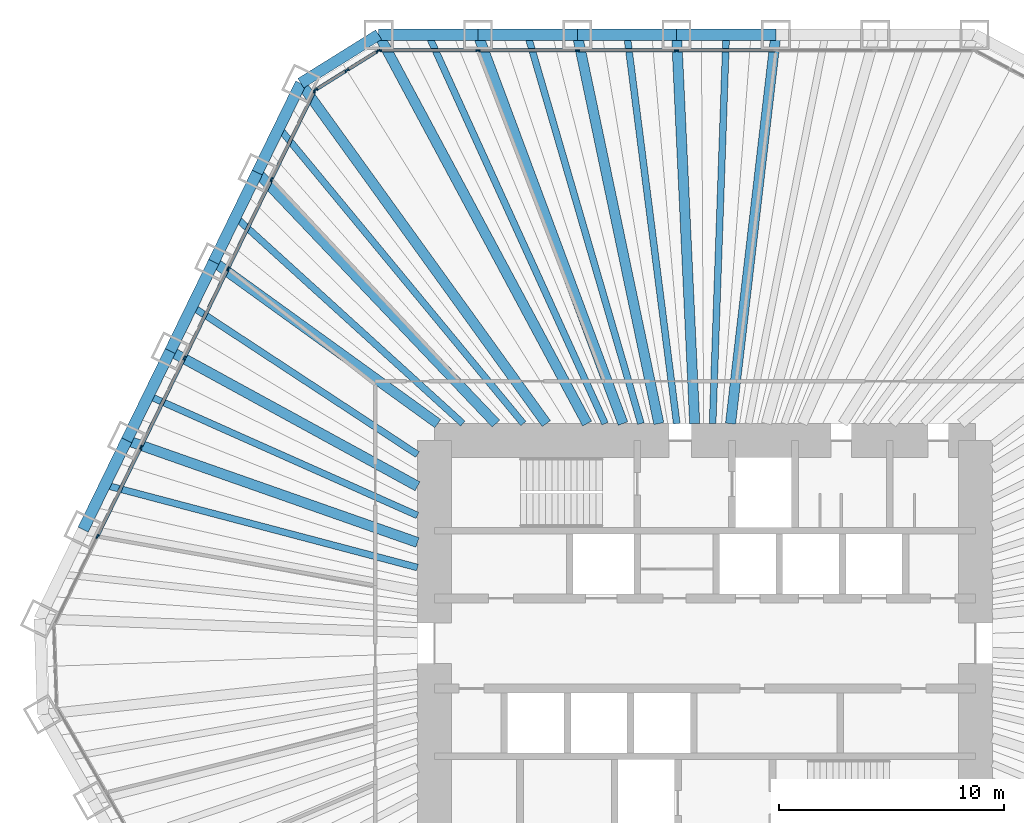
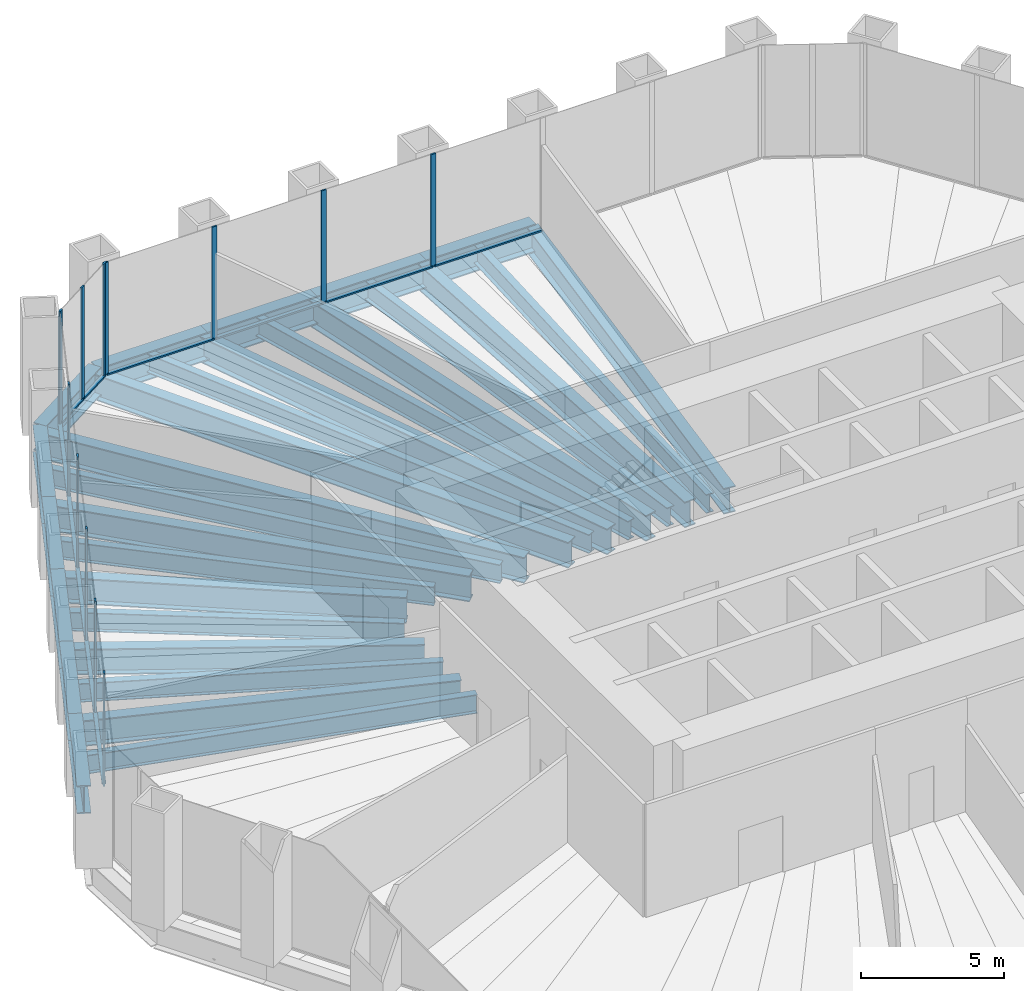
# One storey, part 6 of 13: 29 beams, 24 members, 3 elements without a shape of their own.
"""IFC4 building model written with IfcOpenShell, lengths in metres."""

from ifc_helpers import new_model, si_unit, direction, frame, origin, origin_2d, place, context, subcontext, project, spatial, rectangle, i_section, extrude, material, material_profile, profile_set, type_object, element, aggregate, save


model = new_model("IFC4")

# Units and contexts
model_context = context("Model", 3, precision=1e-05, world=origin(), true_north=direction((0.0, 1.0)))
body_context = subcontext(model_context, "Body", "Model", "MODEL_VIEW")
ifc_project = project(units=[si_unit("LENGTHUNIT", "METRE"), si_unit("AREAUNIT", "SQUARE_METRE"), si_unit("VOLUMEUNIT", "CUBIC_METRE"), si_unit("PLANEANGLEUNIT", "RADIAN"), si_unit("MASSUNIT", "GRAM", prefix="KILO")], contexts=[model_context])

# Site, building, storey
site_placement = place(None, origin())
site = spatial("IfcSite", under=ifc_project, at=site_placement, CompositionType="ELEMENT")
building_placement = place(site_placement, origin())
building = spatial("IfcBuilding", under=site, at=building_placement, Name="Qingtian Harvest Tower", CompositionType="ELEMENT")
storey_placement = place(building_placement, frame((0.0, 0.0, 37.0)))
storey = spatial("IfcBuildingStorey", under=building, at=storey_placement, Name="L07", CompositionType="ELEMENT", Elevation=37.0)

# Beams
ifc_material_1 = material(Name="Steel SM570MC", Category="steel")
ifc_material_profile_1 = material_profile(ifc_material_1, i_section(OverallWidth=0.449951171875, OverallDepth=1.10009765625, WebThickness=0.02197265625, FlangeThickness=0.044921875, at=origin_2d()), Name="H1100x450x22x45")
ifc_profile_set_1 = profile_set([ifc_material_profile_1], Name="Steel SM570MC")
beam_type_1 = type_object("IfcBeamType", Name="Corner floor beam FB8 H1100x450x22x45", PredefinedType="BEAM", material=ifc_profile_set_1)
beam_1_placement = place(storey_placement, frame((-14.471435546875, 27.0, -0.75), z_axis=(0.472401408299, -0.881383520062, 0.0), x_axis=(0.881383520062, 0.472401408299, 0.0)))
element("IfcBeam", 1, at=beam_1_placement, inside=storey, type_object=beam_type_1, Name="Floor beam FB8 N0", PredefinedType="BEAM", context=body_context, shape_type="SweptSolid", body=[
    extrude(i_section(OverallWidth=0.449951171875, OverallDepth=1.10009765625, WebThickness=0.02197265625, FlangeThickness=0.044921875, at=origin_2d()), origin(), (0.0, 0.0, 1.0), 19.571533203125),
])
beam_2_placement = place(storey_placement, frame((-17.923583984375, 24.8427734375, -0.75), z_axis=(0.585095822328, -0.810964166098, 0.0), x_axis=(0.810964166098, 0.585095822328, 0.0)))
element("IfcBeam", 2, at=beam_2_placement, inside=storey, type_object=beam_type_1, Name="Floor beam FB8 NW6", PredefinedType="BEAM", context=body_context, shape_type="SweptSolid", body=[
    extrude(i_section(OverallWidth=0.449951171875, OverallDepth=1.10009765625, WebThickness=0.02197265625, FlangeThickness=0.044921875, at=origin_2d()), origin(), (0.0, 0.0, 1.0), 18.61083984375),
])
ifc_material_2 = material(Name="Steel SM570MC", Category="steel")
ifc_material_profile_2 = material_profile(ifc_material_2, i_section(OverallWidth=0.449951171875, OverallDepth=1.10009765625, WebThickness=0.02197265625, FlangeThickness=0.044921875, at=origin_2d()), Name="H1100x450x22x45")
ifc_profile_set_2 = profile_set([ifc_material_profile_2], Name="Steel SM570MC")
beam_type_2 = type_object("IfcBeamType", Name="Floor beam FB1 H1100x450x22x45", PredefinedType="BEAM", material=ifc_profile_set_2)
beam_3_placement = place(storey_placement, frame((-10.06689453125, 27.0, -0.75), z_axis=(0.349355612113, -0.936990211414, 0.0), x_axis=(0.936990211414, 0.349355612113, 0.0)))
element("IfcBeam", 3, at=beam_3_placement, inside=storey, type_object=beam_type_2, Name="Floor beam FB1 N1", PredefinedType="BEAM", context=body_context, shape_type="SweptSolid", body=[
    extrude(i_section(OverallWidth=0.449951171875, OverallDepth=1.10009765625, WebThickness=0.02197265625, FlangeThickness=0.044921875, at=origin_2d()), origin(), (0.0, 0.0, 1.0), 18.409912109375),
])
beam_4_placement = place(storey_placement, frame((-5.662353515625, 27.0, -0.75), z_axis=(0.205255077335, -0.978708512903, 0.0), x_axis=(0.978708512903, 0.205255077335, 0.0)))
element("IfcBeam", 4, at=beam_4_placement, inside=storey, type_object=beam_type_2, Name="Floor beam FB1 N2", PredefinedType="BEAM", context=body_context, shape_type="SweptSolid", body=[
    extrude(i_section(OverallWidth=0.449951171875, OverallDepth=1.10009765625, WebThickness=0.02197265625, FlangeThickness=0.044921875, at=origin_2d()), origin(), (0.0, 0.0, 1.0), 17.625244140625),
])
beam_5_placement = place(storey_placement, frame((-1.257568359375, 27.0, -0.75), z_axis=(0.046527342366, -0.99891701678, 0.0), x_axis=(0.99891701678, 0.046527342366, 0.0)))
element("IfcBeam", 5, at=beam_5_placement, inside=storey, type_object=beam_type_2, Name="Floor beam FB1 N3", PredefinedType="BEAM", context=body_context, shape_type="SweptSolid", body=[
    extrude(i_section(OverallWidth=0.449951171875, OverallDepth=1.10009765625, WebThickness=0.02197265625, FlangeThickness=0.044921875, at=origin_2d()), origin(), (0.0, 0.0, 1.0), 17.268798828125),
])
beam_6_placement = place(storey_placement, frame((3.14697265625, 27.0, -0.75), z_axis=(-0.115766971807, -0.993276400726, 0.0), x_axis=(0.993276400726, -0.115766971807, 0.0)))
element("IfcBeam", 6, at=beam_6_placement, inside=storey, type_object=beam_type_2, Name="Floor beam FB1 N4", PredefinedType="BEAM", context=body_context, shape_type="SweptSolid", body=[
    extrude(i_section(OverallWidth=0.449951171875, OverallDepth=1.10009765625, WebThickness=0.02197265625, FlangeThickness=0.044921875, at=origin_2d()), origin(), (0.0, 0.0, 1.0), 17.36669921875),
])
beam_7_placement = place(storey_placement, frame((-25.64697265625, 9.007568359375, -0.75), z_axis=(0.943501950009, -0.331366972296, 0.0), x_axis=(0.331366972296, 0.943501950009, 0.0)))
element("IfcBeam", 7, at=beam_7_placement, inside=storey, type_object=beam_type_2, Name="Floor beam FB1 NW2", PredefinedType="BEAM", context=body_context, shape_type="SweptSolid", body=[
    extrude(i_section(OverallWidth=0.449951171875, OverallDepth=1.10009765625, WebThickness=0.02197265625, FlangeThickness=0.044921875, at=origin_2d()), origin(), (0.0, 0.0, 1.0), 13.669189453125),
])
beam_8_placement = place(storey_placement, frame((-23.716064453125, 12.96630859375, -0.75), z_axis=(0.877428569154, -0.479707312882, 0.0), x_axis=(0.479707312882, 0.877428569154, 0.0)))
element("IfcBeam", 8, at=beam_8_placement, inside=storey, type_object=beam_type_2, Name="Floor beam FB1 NW3", PredefinedType="BEAM", context=body_context, shape_type="SweptSolid", body=[
    extrude(i_section(OverallWidth=0.449951171875, OverallDepth=1.10009765625, WebThickness=0.02197265625, FlangeThickness=0.044921875, at=origin_2d()), origin(), (0.0, 0.0, 1.0), 12.498046875),
])
beam_9_placement = place(storey_placement, frame((-21.78515625, 16.92529296875, -0.75), z_axis=(0.810680279019, -0.585489099139, 0.0), x_axis=(0.585489099139, 0.810680279019, 0.0)))
element("IfcBeam", 9, at=beam_9_placement, inside=storey, type_object=beam_type_2, Name="Floor beam FB1 NW4", PredefinedType="BEAM", context=body_context, shape_type="SweptSolid", body=[
    extrude(i_section(OverallWidth=0.449951171875, OverallDepth=1.10009765625, WebThickness=0.02197265625, FlangeThickness=0.044921875, at=origin_2d()), origin(), (0.0, 0.0, 1.0), 12.255126953125),
])
beam_10_placement = place(storey_placement, frame((-19.8544921875, 20.884033203125, -0.75), z_axis=(0.689018801535, -0.724743465739, 0.0), x_axis=(0.724743465739, 0.689018801535, 0.0)))
element("IfcBeam", 10, at=beam_10_placement, inside=storey, type_object=beam_type_2, Name="Floor beam FB1 NW5", PredefinedType="BEAM", context=body_context, shape_type="SweptSolid", body=[
    extrude(i_section(OverallWidth=0.449951171875, OverallDepth=1.10009765625, WebThickness=0.02197265625, FlangeThickness=0.044921875, at=origin_2d()), origin(), (0.0, 0.0, 1.0), 15.36279296875),
])
ifc_material_3 = material(Name="Steel SN490B", Category="steel")
ifc_material_profile_3 = material_profile(ifc_material_3, i_section(OverallWidth=0.300048828125, OverallDepth=0.800048828125, WebThickness=0.013916015625, FlangeThickness=0.02587890625, at=origin_2d()), Name="H800x300x14x26")
ifc_profile_set_3 = profile_set([ifc_material_profile_3], Name="Steel SN490B")
beam_type_3 = type_object("IfcBeamType", Name="Floor joist J1 H800x300x14x26", PredefinedType="JOIST", material=ifc_profile_set_3)
beam_11_placement = place(storey_placement, frame((-12.269287109375, 27.0, -0.60009765625), z_axis=(0.413713629402, -0.910407069858, 0.0), x_axis=(0.910407069858, 0.413713629402, 0.0)))
element("IfcBeam", 11, at=beam_11_placement, inside=storey, type_object=beam_type_3, Name="Floor joist J1 N0", PredefinedType="JOIST", context=body_context, shape_type="SweptSolid", body=[
    extrude(i_section(OverallWidth=0.300048828125, OverallDepth=0.800048828125, WebThickness=0.013916015625, FlangeThickness=0.02587890625, at=origin_2d()), origin(), (0.0, 0.0, 1.0), 18.947509765625),
])
beam_12_placement = place(storey_placement, frame((-7.864501953125, 27.0, -0.60009765625), z_axis=(0.279649335299, -0.960102207719, 0.0), x_axis=(0.960102207719, 0.279649335299, 0.0)))
element("IfcBeam", 12, at=beam_12_placement, inside=storey, type_object=beam_type_3, Name="Floor joist J1 N1", PredefinedType="JOIST", context=body_context, shape_type="SweptSolid", body=[
    extrude(i_section(OverallWidth=0.300048828125, OverallDepth=0.800048828125, WebThickness=0.013916015625, FlangeThickness=0.02587890625, at=origin_2d()), origin(), (0.0, 0.0, 1.0), 17.966796875),
])
beam_13_placement = place(storey_placement, frame((-3.4599609375, 27.0, -0.60009765625), z_axis=(0.127102696173, -0.991889562716, 0.0), x_axis=(0.991889562716, 0.127102696173, 0.0)))
element("IfcBeam", 13, at=beam_13_placement, inside=storey, type_object=beam_type_3, Name="Floor joist J1 N2", PredefinedType="JOIST", context=body_context, shape_type="SweptSolid", body=[
    extrude(i_section(OverallWidth=0.300048828125, OverallDepth=0.800048828125, WebThickness=0.013916015625, FlangeThickness=0.02587890625, at=origin_2d()), origin(), (0.0, 0.0, 1.0), 17.39111328125),
])
beam_14_placement = place(storey_placement, frame((0.944580078125, 27.0, -0.60009765625), z_axis=(-0.034965020137, -0.99938853674, 0.0), x_axis=(0.99938853674, -0.034965020137, 0.0)))
element("IfcBeam", 14, at=beam_14_placement, inside=storey, type_object=beam_type_3, Name="Floor joist J1 N3", PredefinedType="JOIST", context=body_context, shape_type="SweptSolid", body=[
    extrude(i_section(OverallWidth=0.300048828125, OverallDepth=0.800048828125, WebThickness=0.013916015625, FlangeThickness=0.02587890625, at=origin_2d()), origin(), (0.0, 0.0, 1.0), 17.260498046875),
])
beam_15_placement = place(storey_placement, frame((-26.6123046875, 7.028076171875, -0.60009765625), z_axis=(0.966852496992, -0.255335561684, 0.0), x_axis=(0.255335561684, 0.966852496992, 0.0)))
element("IfcBeam", 15, at=beam_15_placement, inside=storey, type_object=beam_type_3, Name="Floor joist J1 NW1", PredefinedType="JOIST", context=body_context, shape_type="SweptSolid", body=[
    extrude(i_section(OverallWidth=0.300048828125, OverallDepth=0.800048828125, WebThickness=0.013916015625, FlangeThickness=0.02587890625, at=origin_2d()), origin(), (0.0, 0.0, 1.0), 14.337646484375),
])
beam_16_placement = place(storey_placement, frame((-24.681640625, 10.987060546875, -0.60009765625), z_axis=(0.913567796195, -0.406686466157, 0.0), x_axis=(0.406686466157, 0.913567796195, 0.0)))
element("IfcBeam", 16, at=beam_16_placement, inside=storey, type_object=beam_type_3, Name="Floor joist J1 NW2", PredefinedType="JOIST", context=body_context, shape_type="SweptSolid", body=[
    extrude(i_section(OverallWidth=0.300048828125, OverallDepth=0.800048828125, WebThickness=0.013916015625, FlangeThickness=0.02587890625, at=origin_2d()), origin(), (0.0, 0.0, 1.0), 13.060546875),
])
beam_17_placement = place(storey_placement, frame((-22.750732421875, 14.94580078125, -0.60009765625), z_axis=(0.835785467613, -0.549056146607, 0.0), x_axis=(0.549056146607, 0.835785467613, 0.0)))
element("IfcBeam", 17, at=beam_17_placement, inside=storey, type_object=beam_type_3, Name="Floor joist J1 NW3", PredefinedType="JOIST", context=body_context, shape_type="SweptSolid", body=[
    extrude(i_section(OverallWidth=0.300048828125, OverallDepth=0.800048828125, WebThickness=0.013916015625, FlangeThickness=0.02587890625, at=origin_2d()), origin(), (0.0, 0.0, 1.0), 11.965576171875),
])
beam_18_placement = place(storey_placement, frame((-20.81982421875, 18.904541015625, -0.60009765625), z_axis=(0.740339866926, -0.672232758381, 0.0), x_axis=(0.672232758381, 0.740339866926, 0.0)))
element("IfcBeam", 18, at=beam_18_placement, inside=storey, type_object=beam_type_3, Name="Floor joist J1 NW4", PredefinedType="JOIST", context=body_context, shape_type="SweptSolid", body=[
    extrude(i_section(OverallWidth=0.300048828125, OverallDepth=0.800048828125, WebThickness=0.013916015625, FlangeThickness=0.02587890625, at=origin_2d()), origin(), (0.0, 0.0, 1.0), 13.6181640625),
])
beam_19_placement = place(storey_placement, frame((-18.888916015625, 22.863525390625, -0.60009765625), z_axis=(0.636910378144, -0.77093785107, 0.0), x_axis=(0.77093785107, 0.636910378144, 0.0)))
element("IfcBeam", 19, at=beam_19_placement, inside=storey, type_object=beam_type_3, Name="Floor joist J1 NW5", PredefinedType="JOIST", context=body_context, shape_type="SweptSolid", body=[
    extrude(i_section(OverallWidth=0.300048828125, OverallDepth=0.800048828125, WebThickness=0.013916015625, FlangeThickness=0.02587890625, at=origin_2d()), origin(), (0.0, 0.0, 1.0), 17.009765625),
])

# Curtain wall, members
ifc_material_4 = material(Name="Bronze-anodised aluminium curtain wall", Category="aluminium")
curtain_wall_type = type_object("IfcCurtainWallType", Name="Curtain wall CW2 farm reception", PredefinedType="USERDEFINED", material=ifc_material_4)
curtain_wall_1_placement = place(storey_placement, origin())
curtain_wall_1 = element("IfcCurtainWall", 20, at=curtain_wall_1_placement, inside=storey, type_object=curtain_wall_type, Name="Curtain wall CW2 L07 N0-5", ObjectType="RECESSED CURTAIN WALL", PredefinedType="USERDEFINED")
ifc_material_5 = material(Name="Bronze-anodised aluminium mullion", Category="aluminium")
ifc_material_profile_4 = material_profile(ifc_material_5, rectangle(XDim=0.06494140625, YDim=0.199951171875, at=origin_2d()), Name="AL 65x200")
ifc_profile_set_4 = profile_set([ifc_material_profile_4], Name="Bronze-anodised aluminium mullion")
member_type_1 = type_object("IfcMemberType", Name="Mullion CWM 65x200", PredefinedType="MULLION", material=ifc_profile_set_4)
member_1_placement = place(storey_placement, frame((-14.43896484375, 26.300048828125, 0.0), z_axis=(0.0, 0.0, 1.0), x_axis=(0.0, 1.0, 0.0)))
member_1 = element("IfcMember", 21, at=member_1_placement, type_object=member_type_1, Name="CW2 mullion 1", PredefinedType="MULLION", context=body_context, shape_type="SweptSolid", body=[
    extrude(rectangle(XDim=0.06494140625, YDim=0.199951171875, at=origin_2d()), origin(), (0.0, 0.0, 1.0), 4.800048828125),
])
member_2_placement = place(storey_placement, frame((-10.06689453125, 26.300048828125, 0.0), z_axis=(0.0, 0.0, 1.0), x_axis=(0.0, 1.0, 0.0)))
member_2 = element("IfcMember", 22, at=member_2_placement, type_object=member_type_1, Name="CW2 mullion 2", PredefinedType="MULLION", context=body_context, shape_type="SweptSolid", body=[
    extrude(rectangle(XDim=0.06494140625, YDim=0.199951171875, at=origin_2d()), origin(), (0.0, 0.0, 1.0), 4.800048828125),
])
member_3_placement = place(storey_placement, frame((-5.662353515625, 26.300048828125, 0.0), z_axis=(0.0, 0.0, 1.0), x_axis=(0.0, 1.0, 0.0)))
member_3 = element("IfcMember", 23, at=member_3_placement, type_object=member_type_1, Name="CW2 mullion 3", PredefinedType="MULLION", context=body_context, shape_type="SweptSolid", body=[
    extrude(rectangle(XDim=0.06494140625, YDim=0.199951171875, at=origin_2d()), origin(), (0.0, 0.0, 1.0), 4.800048828125),
])
member_4_placement = place(storey_placement, frame((-1.257568359375, 26.300048828125, 0.0), z_axis=(0.0, 0.0, 1.0), x_axis=(0.0, 1.0, 0.0)))
member_4 = element("IfcMember", 24, at=member_4_placement, type_object=member_type_1, Name="CW2 mullion 4", PredefinedType="MULLION", context=body_context, shape_type="SweptSolid", body=[
    extrude(rectangle(XDim=0.06494140625, YDim=0.199951171875, at=origin_2d()), origin(), (0.0, 0.0, 1.0), 4.800048828125),
])

curtain_wall_2_placement = place(storey_placement, origin())
curtain_wall_2 = element("IfcCurtainWall", 25, at=curtain_wall_2_placement, inside=storey, type_object=curtain_wall_type, Name="Curtain wall CW2 L07 NW0-5", ObjectType="RECESSED CURTAIN WALL", PredefinedType="USERDEFINED")
member_5_placement = place(storey_placement, frame((-26.94873046875, 4.741943359375, 0.0), z_axis=(0.0, 0.0, 1.0), x_axis=(-0.898794046299, 0.438371146789, 0.0)))
member_5 = element("IfcMember", 26, at=member_5_placement, type_object=member_type_1, Name="CW2 mullion 2", PredefinedType="MULLION", context=body_context, shape_type="SweptSolid", body=[
    extrude(rectangle(XDim=0.06494140625, YDim=0.199951171875, at=origin_2d()), origin(), (0.0, 0.0, 1.0), 4.800048828125),
])
member_6_placement = place(storey_placement, frame((-25.017822265625, 8.70068359375, 0.0), z_axis=(0.0, 0.0, 1.0), x_axis=(-0.898794046299, 0.438371146789, 0.0)))
member_6 = element("IfcMember", 27, at=member_6_placement, type_object=member_type_1, Name="CW2 mullion 3", PredefinedType="MULLION", context=body_context, shape_type="SweptSolid", body=[
    extrude(rectangle(XDim=0.06494140625, YDim=0.199951171875, at=origin_2d()), origin(), (0.0, 0.0, 1.0), 4.800048828125),
])
member_7_placement = place(storey_placement, frame((-23.0869140625, 12.659423828125, 0.0), z_axis=(0.0, 0.0, 1.0), x_axis=(-0.898794046299, 0.438371146789, 0.0)))
member_7 = element("IfcMember", 28, at=member_7_placement, type_object=member_type_1, Name="CW2 mullion 4", PredefinedType="MULLION", context=body_context, shape_type="SweptSolid", body=[
    extrude(rectangle(XDim=0.06494140625, YDim=0.199951171875, at=origin_2d()), origin(), (0.0, 0.0, 1.0), 4.800048828125),
])
member_8_placement = place(storey_placement, frame((-21.156005859375, 16.618408203125, 0.0), z_axis=(0.0, 0.0, 1.0), x_axis=(-0.898794046299, 0.438371146789, 0.0)))
member_8 = element("IfcMember", 29, at=member_8_placement, type_object=member_type_1, Name="CW2 mullion 5", PredefinedType="MULLION", context=body_context, shape_type="SweptSolid", body=[
    extrude(rectangle(XDim=0.06494140625, YDim=0.199951171875, at=origin_2d()), origin(), (0.0, 0.0, 1.0), 4.800048828125),
])
member_9_placement = place(storey_placement, frame((-19.225341796875, 20.5771484375, 0.0), z_axis=(0.0, 0.0, 1.0), x_axis=(-0.898794046299, 0.438371146789, 0.0)))
member_9 = element("IfcMember", 30, at=member_9_placement, type_object=member_type_1, Name="CW2 mullion 6", PredefinedType="MULLION", context=body_context, shape_type="SweptSolid", body=[
    extrude(rectangle(XDim=0.06494140625, YDim=0.199951171875, at=origin_2d()), origin(), (0.0, 0.0, 1.0), 4.800048828125),
])
member_10_placement = place(storey_placement, frame((-17.30859375, 24.5068359375, 0.0), z_axis=(0.0, 0.0, 1.0), x_axis=(-0.898794046299, 0.438371146789, 0.0)))
member_10 = element("IfcMember", 31, at=member_10_placement, type_object=member_type_1, Name="CW2 mullion 7", PredefinedType="MULLION", context=body_context, shape_type="SweptSolid", body=[
    extrude(rectangle(XDim=0.06494140625, YDim=0.199951171875, at=origin_2d()), origin(), (0.0, 0.0, 1.0), 4.800048828125),
])

curtain_wall_3_placement = place(storey_placement, origin())
curtain_wall_3 = element("IfcCurtainWall", 32, at=curtain_wall_3_placement, inside=storey, type_object=curtain_wall_type, Name="Curtain wall CW2 L07 NWC", ObjectType="RECESSED CURTAIN WALL", PredefinedType="USERDEFINED")
member_11_placement = place(storey_placement, frame((-17.266845703125, 24.55322265625, 0.0), z_axis=(0.0, 0.0, 1.0), x_axis=(-0.529919264233, 0.848048096156, 0.0)))
member_11 = element("IfcMember", 33, at=member_11_placement, type_object=member_type_1, Name="CW2 mullion 1", PredefinedType="MULLION", context=body_context, shape_type="SweptSolid", body=[
    extrude(rectangle(XDim=0.06494140625, YDim=0.199951171875, at=origin_2d()), origin(), (0.0, 0.0, 1.0), 4.800048828125),
])
member_12_placement = place(storey_placement, frame((-15.883056640625, 25.41796875, 0.0), z_axis=(0.0, 0.0, 1.0), x_axis=(-0.529919264233, 0.848048096156, 0.0)))
member_12 = element("IfcMember", 34, at=member_12_placement, type_object=member_type_1, Name="CW2 mullion 2", PredefinedType="MULLION", context=body_context, shape_type="SweptSolid", body=[
    extrude(rectangle(XDim=0.06494140625, YDim=0.199951171875, at=origin_2d()), origin(), (0.0, 0.0, 1.0), 4.800048828125),
])
member_13_placement = place(storey_placement, frame((-14.4990234375, 26.28271484375, 0.0), z_axis=(0.0, 0.0, 1.0), x_axis=(-0.529919264233, 0.848048096156, 0.0)))
member_13 = element("IfcMember", 35, at=member_13_placement, type_object=member_type_1, Name="CW2 mullion 3", PredefinedType="MULLION", context=body_context, shape_type="SweptSolid", body=[
    extrude(rectangle(XDim=0.06494140625, YDim=0.199951171875, at=origin_2d()), origin(), (0.0, 0.0, 1.0), 4.800048828125),
])

# Beams
ifc_material_6 = material(Name="Steel SM570MC", Category="steel")
ifc_material_profile_5 = material_profile(ifc_material_6, i_section(OverallWidth=0.5, OverallDepth=1.199951171875, WebThickness=0.02490234375, FlangeThickness=0.050048828125, at=origin_2d()), Name="H1200x500x25x50")
ifc_profile_set_5 = profile_set([ifc_material_profile_5], Name="Steel SM570MC")
beam_type_4 = type_object("IfcBeamType", Name="Spandrel beam SB1 H1200x500x25x50", PredefinedType="SPANDREL", material=ifc_profile_set_5)
for number, where, z_axis, x_axis, name in (
    (36, (-14.471435546875, 27.0, -0.60009765625), (1.0, 0.0, 0.0), (0.0, 1.0, 0.0), "Spandrel SB1 N0"),
    (37, (-10.06689453125, 27.0, -0.60009765625), (1.0, 0.0, 0.0), (0.0, 1.0, 0.0), "Spandrel SB1 N1"),
):
    element("IfcBeam", number, at=place(storey_placement, frame(where, z_axis=z_axis, x_axis=x_axis)), inside=storey, type_object=beam_type_4, Name=name, PredefinedType="SPANDREL", context=body_context, shape_type="SweptSolid", body=[
        extrude(i_section(OverallWidth=0.5, OverallDepth=1.199951171875, WebThickness=0.02490234375, FlangeThickness=0.050048828125, at=origin_2d()), origin(), (0.0, 0.0, 1.0), 4.404541015625),
    ])
beam_20_placement = place(storey_placement, frame((-5.662353515625, 27.0, -0.60009765625), z_axis=(1.0, 0.0, 0.0), x_axis=(0.0, 1.0, 0.0)))
element("IfcBeam", 38, at=beam_20_placement, inside=storey, type_object=beam_type_4, Name="Spandrel SB1 N2", PredefinedType="SPANDREL", context=body_context, shape_type="SweptSolid", body=[
    extrude(i_section(OverallWidth=0.5, OverallDepth=1.199951171875, WebThickness=0.02490234375, FlangeThickness=0.050048828125, at=origin_2d()), origin(), (0.0, 0.0, 1.0), 4.40478515625),
])
for number, where, z_axis, x_axis, name in (
    (39, (-1.257568359375, 27.0, -0.60009765625), (1.0, 0.0, 0.0), (0.0, 1.0, 0.0), "Spandrel SB1 N3"),
    (40, (-27.577880859375, 5.048828125, -0.60009765625), (0.438389777529, 0.898784959241, 0.0), (-0.898784959241, 0.438389777529, 0.0), "Spandrel SB1 NW1"),
    (41, (-25.64697265625, 9.007568359375, -0.60009765625), (0.438389777529, 0.898784959241, 0.0), (-0.898784959241, 0.438389777529, 0.0), "Spandrel SB1 NW2"),
):
    element("IfcBeam", number, at=place(storey_placement, frame(where, z_axis=z_axis, x_axis=x_axis)), inside=storey, type_object=beam_type_4, Name=name, PredefinedType="SPANDREL", context=body_context, shape_type="SweptSolid", body=[
        extrude(i_section(OverallWidth=0.5, OverallDepth=1.199951171875, WebThickness=0.02490234375, FlangeThickness=0.050048828125, at=origin_2d()), origin(), (0.0, 0.0, 1.0), 4.404541015625),
    ])
beam_21_placement = place(storey_placement, frame((-23.716064453125, 12.96630859375, -0.60009765625), z_axis=(0.438367938366, 0.898795611145, 0.0), x_axis=(-0.898795611145, 0.438367938366, 0.0)))
element("IfcBeam", 42, at=beam_21_placement, inside=storey, type_object=beam_type_4, Name="Spandrel SB1 NW3", PredefinedType="SPANDREL", context=body_context, shape_type="SweptSolid", body=[
    extrude(i_section(OverallWidth=0.5, OverallDepth=1.199951171875, WebThickness=0.02490234375, FlangeThickness=0.050048828125, at=origin_2d()), origin(), (0.0, 0.0, 1.0), 4.40478515625),
])
for number, where, z_axis, x_axis, name in (
    (43, (-21.78515625, 16.92529296875, -0.60009765625), (0.438344999367, 0.898806798778, 0.0), (-0.898806798778, 0.438344999367, 0.0), "Spandrel SB1 NW4"),
    (44, (-19.8544921875, 20.884033203125, -0.60009765625), (0.438389777529, 0.898784959241, 0.0), (-0.898784959241, 0.438389777529, 0.0), "Spandrel SB1 NW5"),
):
    element("IfcBeam", number, at=place(storey_placement, frame(where, z_axis=z_axis, x_axis=x_axis)), inside=storey, type_object=beam_type_4, Name=name, PredefinedType="SPANDREL", context=body_context, shape_type="SweptSolid", body=[
        extrude(i_section(OverallWidth=0.5, OverallDepth=1.199951171875, WebThickness=0.02490234375, FlangeThickness=0.050048828125, at=origin_2d()), origin(), (0.0, 0.0, 1.0), 4.404541015625),
    ])
beam_22_placement = place(storey_placement, frame((-17.923583984375, 24.8427734375, -0.60009765625), z_axis=(0.848038733752, 0.529934246919, 0.0), x_axis=(-0.529934246919, 0.848038733752, 0.0)))
element("IfcBeam", 45, at=beam_22_placement, inside=storey, type_object=beam_type_4, Name="Spandrel SB1 NWC", PredefinedType="SPANDREL", context=body_context, shape_type="SweptSolid", body=[
    extrude(i_section(OverallWidth=0.5, OverallDepth=1.199951171875, WebThickness=0.02490234375, FlangeThickness=0.050048828125, at=origin_2d()), origin(), (0.0, 0.0, 1.0), 4.07080078125),
])

# Member
ifc_material_7 = material(Name="Bronze-anodised aluminium transom", Category="aluminium")
ifc_material_profile_6 = material_profile(ifc_material_7, rectangle(XDim=0.14990234375, YDim=0.06494140625, at=origin_2d()), Name="AL 65x150")
ifc_profile_set_6 = profile_set([ifc_material_profile_6], Name="Bronze-anodised aluminium transom")
member_type_2 = type_object("IfcMemberType", Name="Transom CWT 65x150", PredefinedType="USERDEFINED", material=ifc_profile_set_6)
member_14_placement = place(storey_placement, frame((-14.406494140625, 26.300048828125, 0.032470703125), z_axis=(1.0, 0.0, 0.0), x_axis=(0.0, 1.0, 0.0)))
member_14 = element("IfcMember", 46, at=member_14_placement, type_object=member_type_2, Name="CW2 transom 1.1", ObjectType="TRANSOM", PredefinedType="USERDEFINED", context=body_context, shape_type="SweptSolid", body=[
    extrude(rectangle(XDim=0.14990234375, YDim=0.06494140625, at=origin_2d()), origin(), (0.0, 0.0, 1.0), 4.30712890625),
])

member_15_placement = place(storey_placement, frame((-10.034423828125, 26.300048828125, 0.032470703125), z_axis=(1.0, 0.0, 0.0), x_axis=(0.0, 1.0, 0.0)))
member_15 = element("IfcMember", 47, at=member_15_placement, type_object=member_type_2, Name="CW2 transom 2.1", ObjectType="TRANSOM", PredefinedType="USERDEFINED", context=body_context, shape_type="SweptSolid", body=[
    extrude(rectangle(XDim=0.14990234375, YDim=0.06494140625, at=origin_2d()), origin(), (0.0, 0.0, 1.0), 4.339599609375),
])

member_16_placement = place(storey_placement, frame((-5.6298828125, 26.300048828125, 0.032470703125), z_axis=(1.0, 0.0, 0.0), x_axis=(0.0, 1.0, 0.0)))
member_16 = element("IfcMember", 48, at=member_16_placement, type_object=member_type_2, Name="CW2 transom 3.1", ObjectType="TRANSOM", PredefinedType="USERDEFINED", context=body_context, shape_type="SweptSolid", body=[
    extrude(rectangle(XDim=0.14990234375, YDim=0.06494140625, at=origin_2d()), origin(), (0.0, 0.0, 1.0), 4.33984375),
])

member_17_placement = place(storey_placement, frame((-1.22509765625, 26.300048828125, 0.032470703125), z_axis=(1.0, 0.0, 0.0), x_axis=(0.0, 1.0, 0.0)))
member_17 = element("IfcMember", 49, at=member_17_placement, type_object=member_type_2, Name="CW2 transom 4.1", ObjectType="TRANSOM", PredefinedType="USERDEFINED", context=body_context, shape_type="SweptSolid", body=[
    extrude(rectangle(XDim=0.14990234375, YDim=0.06494140625, at=origin_2d()), origin(), (0.0, 0.0, 1.0), 4.339599609375),
])

aggregate(curtain_wall_1, [member_1, member_2, member_3, member_4, member_14, member_15, member_16, member_17])

member_18_placement = place(storey_placement, frame((-26.934326171875, 4.77099609375, 0.032470703125), z_axis=(0.438370427127, 0.898794397302, 0.0), x_axis=(-0.898794397302, 0.438370427127, 0.0)))
member_18 = element("IfcMember", 50, at=member_18_placement, type_object=member_type_2, Name="CW2 transom 2.1", ObjectType="TRANSOM", PredefinedType="USERDEFINED", context=body_context, shape_type="SweptSolid", body=[
    extrude(rectangle(XDim=0.14990234375, YDim=0.06494140625, at=origin_2d()), origin(), (0.0, 0.0, 1.0), 4.339599609375),
])

member_19_placement = place(storey_placement, frame((-25.003662109375, 8.72998046875, 0.032470703125), z_axis=(0.438370427127, 0.898794397302, 0.0), x_axis=(-0.898794397302, 0.438370427127, 0.0)))
member_19 = element("IfcMember", 51, at=member_19_placement, type_object=member_type_2, Name="CW2 transom 3.1", ObjectType="TRANSOM", PredefinedType="USERDEFINED", context=body_context, shape_type="SweptSolid", body=[
    extrude(rectangle(XDim=0.14990234375, YDim=0.06494140625, at=origin_2d()), origin(), (0.0, 0.0, 1.0), 4.339599609375),
])

member_20_placement = place(storey_placement, frame((-23.07275390625, 12.688720703125, 0.032470703125), z_axis=(0.438370427127, 0.898794397302, 0.0), x_axis=(-0.898794397302, 0.438370427127, 0.0)))
member_20 = element("IfcMember", 52, at=member_20_placement, type_object=member_type_2, Name="CW2 transom 4.1", ObjectType="TRANSOM", PredefinedType="USERDEFINED", context=body_context, shape_type="SweptSolid", body=[
    extrude(rectangle(XDim=0.14990234375, YDim=0.06494140625, at=origin_2d()), origin(), (0.0, 0.0, 1.0), 4.339599609375),
])

member_21_placement = place(storey_placement, frame((-21.141845703125, 16.6474609375, 0.032470703125), z_axis=(0.438348261778, 0.898805207704, 0.0), x_axis=(-0.898805207704, 0.438348261778, 0.0)))
member_21 = element("IfcMember", 53, at=member_21_placement, type_object=member_type_2, Name="CW2 transom 5.1", ObjectType="TRANSOM", PredefinedType="USERDEFINED", context=body_context, shape_type="SweptSolid", body=[
    extrude(rectangle(XDim=0.14990234375, YDim=0.06494140625, at=origin_2d()), origin(), (0.0, 0.0, 1.0), 4.33984375),
])

member_22_placement = place(storey_placement, frame((-19.2109375, 20.6064453125, 0.032470703125), z_axis=(0.438348803491, 0.89880494351, 0.0), x_axis=(-0.89880494351, 0.438348803491, 0.0)))
member_22 = element("IfcMember", 54, at=member_22_placement, type_object=member_type_2, Name="CW2 transom 6.1", ObjectType="TRANSOM", PredefinedType="USERDEFINED", context=body_context, shape_type="SweptSolid", body=[
    extrude(rectangle(XDim=0.14990234375, YDim=0.06494140625, at=origin_2d()), origin(), (0.0, 0.0, 1.0), 4.306884765625),
])

aggregate(curtain_wall_2, [member_5, member_6, member_7, member_8, member_9, member_10, member_18, member_19, member_20, member_21, member_22])

member_23_placement = place(storey_placement, frame((-17.2392578125, 24.570556640625, 0.032470703125), z_axis=(0.848059570903, 0.529900900357, 0.0), x_axis=(-0.529900900357, 0.848059570903, 0.0)))
member_23 = element("IfcMember", 55, at=member_23_placement, type_object=member_type_2, Name="CW2 transom 1.1", ObjectType="TRANSOM", PredefinedType="USERDEFINED", context=body_context, shape_type="SweptSolid", body=[
    extrude(rectangle(XDim=0.14990234375, YDim=0.06494140625, at=origin_2d()), origin(), (0.0, 0.0, 1.0), 1.56689453125),
])

member_24_placement = place(storey_placement, frame((-15.85546875, 25.435302734375, 0.032470703125), z_axis=(0.848059570903, 0.529900900357, 0.0), x_axis=(-0.529900900357, 0.848059570903, 0.0)))
member_24 = element("IfcMember", 56, at=member_24_placement, type_object=member_type_2, Name="CW2 transom 2.1", ObjectType="TRANSOM", PredefinedType="USERDEFINED", context=body_context, shape_type="SweptSolid", body=[
    extrude(rectangle(XDim=0.14990234375, YDim=0.06494140625, at=origin_2d()), origin(), (0.0, 0.0, 1.0), 1.56689453125),
])

aggregate(curtain_wall_3, [member_11, member_12, member_13, member_23, member_24])

save(model, "model.ifc")
